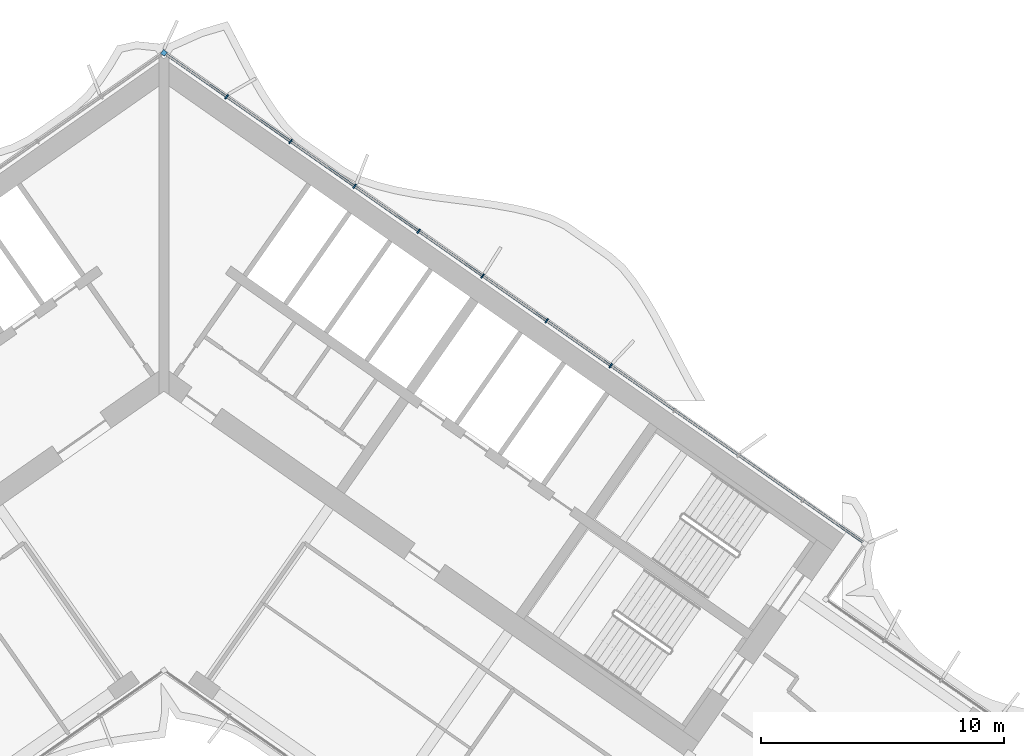
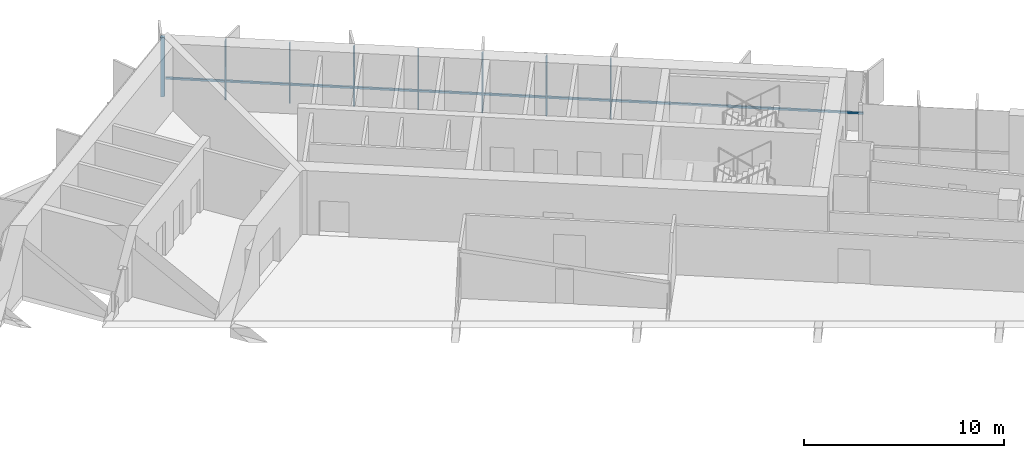
# One storey, part 8 of 21: 9 members, 1 element without a shape of its own.
"""IFC4 building model written with IfcOpenShell, lengths in metres."""

from ifc_helpers import new_model, si_unit, direction, frame, origin, origin_2d, place, context, subcontext, project, spatial, rectangle, extrude, material, material_profile, profile_set, type_object, element, aggregate, save


model = new_model("IFC4")

# Units and contexts
model_context = context("Model", 3, precision=1e-05, world=origin(), true_north=direction((0.0, 1.0)))
body_context = subcontext(model_context, "Body", "Model", "MODEL_VIEW")
ifc_project = project(units=[si_unit("LENGTHUNIT", "METRE"), si_unit("AREAUNIT", "SQUARE_METRE"), si_unit("VOLUMEUNIT", "CUBIC_METRE"), si_unit("PLANEANGLEUNIT", "RADIAN"), si_unit("MASSUNIT", "GRAM", prefix="KILO")], contexts=[model_context])

# Site, building, storey
site_placement = place(None, origin())
site = spatial("IfcSite", under=ifc_project, at=site_placement, CompositionType="ELEMENT")
building_placement = place(site_placement, origin())
building = spatial("IfcBuilding", under=site, at=building_placement, Name="Tel Ilan Convention Tower", CompositionType="ELEMENT")
storey_placement = place(building_placement, frame((0.0, 0.0, 151.5)))
storey = spatial("IfcBuildingStorey", under=building, at=storey_placement, Name="L34", CompositionType="ELEMENT", Elevation=151.5)

# Curtain wall, members
ifc_material_1 = material(Name="Aluminium, bronze anodised", Category="aluminium")
curtain_wall_type = type_object("IfcCurtainWallType", Name="CW2 STICK CURTAIN WALL, SPANDREL PANELS", PredefinedType="NOTDEFINED", material=ifc_material_1)
curtain_wall_placement = place(storey_placement, origin())
curtain_wall = element("IfcCurtainWall", 1, at=curtain_wall_placement, inside=storey, type_object=curtain_wall_type, Name="Curtain wall CW2-27.01", PredefinedType="NOTDEFINED")
ifc_material_2 = material(Name="Aluminium, bronze anodised", Category="aluminium")
ifc_material_profile_1 = material_profile(ifc_material_2, rectangle(XDim=0.199951171875, YDim=0.199951171875, at=origin_2d()), Name="CW CORNER MULLION 200x200")
ifc_profile_set_1 = profile_set([ifc_material_profile_1], Name="Aluminium, bronze anodised")
member_type_1 = type_object("IfcMemberType", Name="CW CORNER MULLION 200x200", PredefinedType="MULLION", material=ifc_profile_set_1)
member_1_placement = place(storey_placement, frame((0.0, 12.696044921875, 0.0), z_axis=(0.0, 0.0, 1.0), x_axis=(-0.819152044289, 0.573576436351, 0.0)))
member_1 = element("IfcMember", 2, at=member_1_placement, type_object=member_type_1, Name="Corner mullion", PredefinedType="MULLION", context=body_context, shape_type="SweptSolid", body=[
    extrude(rectangle(XDim=0.199951171875, YDim=0.199951171875, at=origin_2d()), origin(), (0.0, 0.0, 1.0), 3.6201171875),
])
ifc_material_3 = material(Name="Aluminium, bronze anodised", Category="aluminium")
ifc_material_profile_2 = material_profile(ifc_material_3, rectangle(XDim=0.06005859375, YDim=0.199951171875, at=origin_2d()), Name="CW MULLION 60x200")
ifc_profile_set_2 = profile_set([ifc_material_profile_2], Name="Aluminium, bronze anodised")
member_type_2 = type_object("IfcMemberType", Name="CW MULLION 60x200", PredefinedType="MULLION", material=ifc_profile_set_2)
member_2_placement = place(storey_placement, frame((18.37109375, -0.16748046875, 0.0), z_axis=(0.0, 0.0, 1.0), x_axis=(-0.819152044289, 0.573576436351, 0.0)))
member_2 = element("IfcMember", 3, at=member_2_placement, type_object=member_type_2, Name="Mullion", PredefinedType="MULLION", context=body_context, shape_type="SweptSolid", body=[
    extrude(rectangle(XDim=0.06005859375, YDim=0.199951171875, at=origin_2d()), origin(), (0.0, 0.0, 1.0), 3.6201171875),
])
member_3_placement = place(storey_placement, frame((15.73828125, 1.676025390625, 0.0), z_axis=(0.0, 0.0, 1.0), x_axis=(-0.819152044289, 0.573576436351, 0.0)))
member_3 = element("IfcMember", 4, at=member_3_placement, type_object=member_type_2, Name="Mullion", PredefinedType="MULLION", context=body_context, shape_type="SweptSolid", body=[
    extrude(rectangle(XDim=0.06005859375, YDim=0.199951171875, at=origin_2d()), origin(), (0.0, 0.0, 1.0), 3.6201171875),
])
member_4_placement = place(storey_placement, frame((13.105712890625, 3.519287109375, 0.0), z_axis=(0.0, 0.0, 1.0), x_axis=(-0.819152044289, 0.573576436351, 0.0)))
member_4 = element("IfcMember", 5, at=member_4_placement, type_object=member_type_2, Name="Mullion", PredefinedType="MULLION", context=body_context, shape_type="SweptSolid", body=[
    extrude(rectangle(XDim=0.06005859375, YDim=0.199951171875, at=origin_2d()), origin(), (0.0, 0.0, 1.0), 3.6201171875),
])
member_5_placement = place(storey_placement, frame((10.47314453125, 5.36279296875, 0.0), z_axis=(0.0, 0.0, 1.0), x_axis=(-0.819152044289, 0.573576436351, 0.0)))
member_5 = element("IfcMember", 6, at=member_5_placement, type_object=member_type_2, Name="Mullion", PredefinedType="MULLION", context=body_context, shape_type="SweptSolid", body=[
    extrude(rectangle(XDim=0.06005859375, YDim=0.199951171875, at=origin_2d()), origin(), (0.0, 0.0, 1.0), 3.6201171875),
])
member_6_placement = place(storey_placement, frame((7.840576171875, 7.2060546875, 0.0), z_axis=(0.0, 0.0, 1.0), x_axis=(-0.819152044289, 0.573576436351, 0.0)))
member_6 = element("IfcMember", 7, at=member_6_placement, type_object=member_type_2, Name="Mullion", PredefinedType="MULLION", context=body_context, shape_type="SweptSolid", body=[
    extrude(rectangle(XDim=0.06005859375, YDim=0.199951171875, at=origin_2d()), origin(), (0.0, 0.0, 1.0), 3.6201171875),
])
member_7_placement = place(storey_placement, frame((5.207763671875, 9.049560546875, 0.0), z_axis=(0.0, 0.0, 1.0), x_axis=(-0.819152044289, 0.573576436351, 0.0)))
member_7 = element("IfcMember", 8, at=member_7_placement, type_object=member_type_2, Name="Mullion", PredefinedType="MULLION", context=body_context, shape_type="SweptSolid", body=[
    extrude(rectangle(XDim=0.06005859375, YDim=0.199951171875, at=origin_2d()), origin(), (0.0, 0.0, 1.0), 3.6201171875),
])
member_8_placement = place(storey_placement, frame((2.5751953125, 10.892822265625, 0.0), z_axis=(0.0, 0.0, 1.0), x_axis=(-0.819152044289, 0.573576436351, 0.0)))
member_8 = element("IfcMember", 9, at=member_8_placement, type_object=member_type_2, Name="Mullion", PredefinedType="MULLION", context=body_context, shape_type="SweptSolid", body=[
    extrude(rectangle(XDim=0.06005859375, YDim=0.199951171875, at=origin_2d()), origin(), (0.0, 0.0, 1.0), 3.6201171875),
])
ifc_material_4 = material(Name="Aluminium, bronze anodised", Category="aluminium")
ifc_material_profile_3 = material_profile(ifc_material_4, rectangle(XDim=0.10009765625, YDim=0.1201171875, at=origin_2d()), Name="CW TRANSOM 100x120")
ifc_profile_set_3 = profile_set([ifc_material_profile_3], Name="Aluminium, bronze anodised")
member_type_3 = type_object("IfcMemberType", Name="CW TRANSOM 100x120", PredefinedType="USERDEFINED", material=ifc_profile_set_3)
member_9_placement = place(storey_placement, frame((28.737548828125, -7.42626953125, 1.10009765625), z_axis=(-0.819150201937, 0.573579067494, 0.0), x_axis=(-0.573579067494, -0.819150201937, 0.0)))
member_9 = element("IfcMember", 10, at=member_9_placement, type_object=member_type_3, Name="Transom", ObjectType="TRANSOM", PredefinedType="USERDEFINED", context=body_context, shape_type="SweptSolid", body=[
    extrude(rectangle(XDim=0.10009765625, YDim=0.1201171875, at=origin_2d()), origin(), (0.0, 0.0, 1.0), 34.9521484375),
])
aggregate(curtain_wall, [member_2, member_3, member_4, member_5, member_6, member_7, member_8, member_1, member_9])

save(model, "model.ifc")
